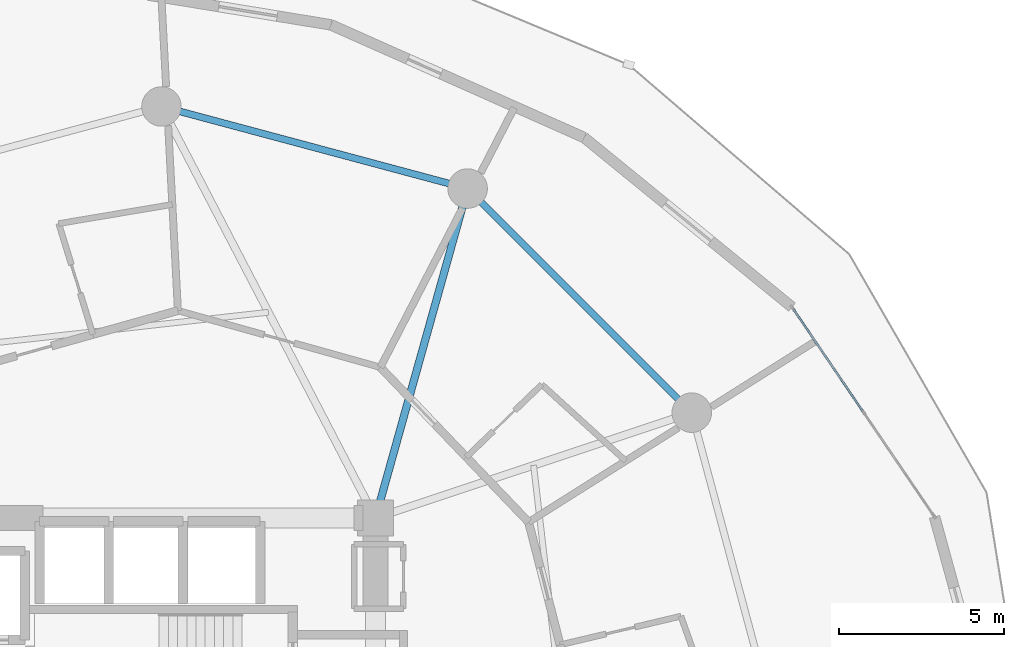
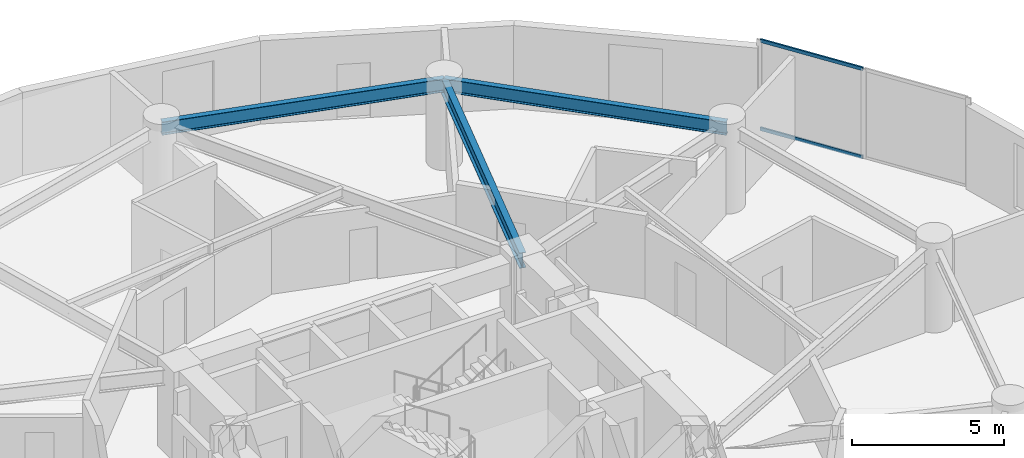
# One storey, part 17 of 26: 3 beams, 2 members, 1 element without a shape of its own.
"""IFC4 building model written with IfcOpenShell, lengths in metres."""

import ifcopenshell
import ifcopenshell.guid

model = None  # the IFC model being written
_history = None  # IfcOwnerHistory: only IFC2X3 demands one
_inside = {}  # id of a spatial element -> (the spatial element, [elements in it])
_under = {}  # id of a project, library or spatial element -> (it, [spatial elements below it])
_declared = {}  # id of a project -> (the project, [libraries it declares])
_typed = {}  # id of a type object -> (the type object, [elements of that type])
_made_of = {}  # id of a material, layer set ... -> (it, [elements and type objects made of it])


def new_model(schema):
    """Start an empty IFC model of exactly this schema.

    Asked for "IFC4X3", IfcOpenShell would pick the latest addendum, in which some entities
    have other attributes; the version numbers below select the first issue.
    IFC2X3 requires an IfcOwnerHistory on every rooted entity: one is made here for all.
    """
    global model, _history
    if schema == "IFC4X3":
        model = ifcopenshell.file(schema_version=(4, 3, 0, 0))
    else:
        model = ifcopenshell.file(schema=schema)
    _inside.clear()
    _under.clear()
    _declared.clear()
    _typed.clear()
    _made_of.clear()
    _history = None
    if model.schema == "IFC2X3":
        org = make("IfcOrganization", Name="unknown")
        user = make(
            "IfcPersonAndOrganization",
            ThePerson=make("IfcPerson", FamilyName="unknown"),
            TheOrganization=org,
        )
        app = make(
            "IfcApplication",
            ApplicationDeveloper=org,
            Version="unknown",
            ApplicationFullName="unknown",
            ApplicationIdentifier="unknown",
        )
        _history = make(
            "IfcOwnerHistory",
            OwningUser=user,
            OwningApplication=app,
            ChangeAction="ADDED",
            CreationDate=0,
        )
    return model


def make(cls, **values):
    """One entity of the class cls with the attributes given. An attribute that is None is left unset."""
    return model.create_entity(
        cls, **{name: value for name, value in values.items() if value is not None}
    )


def rooted(cls, **values):
    """An entity with a GlobalId (a new one), such as an element, a storey or a relation."""
    return make(cls, GlobalId=ifcopenshell.guid.new(), OwnerHistory=_history, **values)


def si_unit(unit_type, name, prefix=None):
    """IfcSIUnit, for example si_unit("LENGTHUNIT", "METRE", prefix="MILLI")."""
    return make("IfcSIUnit", UnitType=unit_type, Prefix=prefix, Name=name)


def assignment(units):
    """IfcUnitAssignment: the units of a project."""
    return None if units is None else make("IfcUnitAssignment", Units=units)


def point(xyz):
    """IfcCartesianPoint."""
    return None if xyz is None else make("IfcCartesianPoint", Coordinates=xyz)


def direction(xyz):
    """IfcDirection."""
    return None if xyz is None else make("IfcDirection", DirectionRatios=xyz)


def frame(location, z_axis=None, x_axis=None):
    """IfcAxis2Placement3D, a coordinate frame: its origin and axes. An axis left out is left unset."""
    return make(
        "IfcAxis2Placement3D",
        Location=point(location),
        Axis=direction(z_axis),
        RefDirection=direction(x_axis),
    )


def frame_2d(location, x_axis=None):
    """IfcAxis2Placement2D, a coordinate frame in the plane: its origin and x axis."""
    return make(
        "IfcAxis2Placement2D", Location=point(location), RefDirection=direction(x_axis)
    )


def origin():
    """The frame at (0, 0, 0) with its axes left unset."""
    return frame((0.0, 0.0, 0.0))


def origin_2d():
    """The frame at (0, 0) in the plane with its x axis left unset."""
    return frame_2d((0.0, 0.0))


def place(relative_to, where):
    """IfcLocalPlacement: puts the frame where relative to a parent placement (None: the world)."""
    return make(
        "IfcLocalPlacement", PlacementRelTo=relative_to, RelativePlacement=where
    )


def context(
    kind, dimensions, precision=None, world=None, true_north=None, identifier=None
):
    """IfcGeometricRepresentationContext, for example the 3D "Model" context."""
    return make(
        "IfcGeometricRepresentationContext",
        ContextIdentifier=identifier,
        ContextType=kind,
        CoordinateSpaceDimension=dimensions,
        Precision=precision,
        WorldCoordinateSystem=world,
        TrueNorth=true_north,
    )


def subcontext(parent, identifier, kind, view, scale=None):
    """IfcGeometricRepresentationSubContext, for example "Body" below "Model"."""
    return make(
        "IfcGeometricRepresentationSubContext",
        ContextIdentifier=identifier,
        ContextType=kind,
        ParentContext=parent,
        TargetScale=scale,
        TargetView=view,
    )


def project(units=None, contexts=None):
    """IfcProject with its units and contexts."""
    return rooted(
        "IfcProject",
        Name="project",
        RepresentationContexts=contexts,
        UnitsInContext=assignment(units),
    )


def spatial(cls, under=None, at=None, **own):
    """A site, building, storey or space (cls), placed at a placement, below another one or the project."""
    s = rooted(cls, ObjectPlacement=at, **own)
    if under is not None:
        _under.setdefault(under.id(), (under, []))[1].append(s)
    return s


def profile(cls, at=None, kind="AREA", **sizes):
    """A parametric profile (cls). Its sizes go by their IFC names, for example OverallWidth=200.0."""
    return make(cls, ProfileType=kind, Position=at, **sizes)


def hollow_rectangle(**sizes):
    """IfcRectangleHollowProfileDef."""
    return profile("IfcRectangleHollowProfileDef", **sizes)


def i_section(**sizes):
    """IfcIShapeProfileDef."""
    return profile("IfcIShapeProfileDef", **sizes)


def extrude(swept, where, along, depth):
    """IfcExtrudedAreaSolid: the profile swept, set in the frame where, extruded along a direction by depth."""
    return make(
        "IfcExtrudedAreaSolid",
        SweptArea=swept,
        Position=where,
        ExtrudedDirection=direction(along),
        Depth=depth,
    )


def shape(context_of_items, identifier, shape_type, items):
    """IfcShapeRepresentation: the items that make up one representation, for example the "Body"."""
    return make(
        "IfcShapeRepresentation",
        ContextOfItems=context_of_items,
        RepresentationIdentifier=identifier,
        RepresentationType=shape_type,
        Items=items,
    )


def source(mapping_origin, context_of_items, identifier, shape_type, items):
    """IfcRepresentationMap: a shape defined once, which mapped items show again and again."""
    return make(
        "IfcRepresentationMap",
        MappingOrigin=mapping_origin,
        MappedRepresentation=shape(context_of_items, identifier, shape_type, items),
    )


def transform(
    local_origin,
    x_axis=None,
    y_axis=None,
    z_axis=None,
    scale=None,
    scale2=None,
    scale3=None,
    uniform=True,
):
    """IfcCartesianTransformationOperator3D, or its non-uniform kind. x_axis, y_axis, z_axis: its Axis1, 2, 3."""
    if uniform:
        return make(
            "IfcCartesianTransformationOperator3D",
            Axis1=direction(x_axis),
            Axis2=direction(y_axis),
            LocalOrigin=point(local_origin),
            Scale=scale,
            Axis3=direction(z_axis),
        )
    return make(
        "IfcCartesianTransformationOperator3DnonUniform",
        Axis1=direction(x_axis),
        Axis2=direction(y_axis),
        LocalOrigin=point(local_origin),
        Scale=scale,
        Axis3=direction(z_axis),
        Scale2=scale2,
        Scale3=scale3,
    )


def mapped(mapping_source, mapping_target):
    """IfcMappedItem: shows the shape of a source again, moved by a transform."""
    return make(
        "IfcMappedItem", MappingSource=mapping_source, MappingTarget=mapping_target
    )


def material(Name=None, Category=None):
    """IfcMaterial."""
    return make("IfcMaterial", Name=Name, Category=Category)


def layer(
    of_material, thickness, ventilated=None, Name=None, Category=None, Priority=None
):
    """IfcMaterialLayer: one layer of a wall or slab, of a material (None: an air gap)."""
    return make(
        "IfcMaterialLayer",
        Material=of_material,
        LayerThickness=thickness,
        IsVentilated=ventilated,
        Name=Name,
        Category=Category,
        Priority=Priority,
    )


def layer_set(layers, Name=None):
    """IfcMaterialLayerSet."""
    return make("IfcMaterialLayerSet", MaterialLayers=layers, LayerSetName=Name)


def material_profile(
    of_material, cross_section, Name=None, Category=None, Priority=None
):
    """IfcMaterialProfile: a cross section and its material."""
    return make(
        "IfcMaterialProfile",
        Name=Name,
        Material=of_material,
        Profile=cross_section,
        Priority=Priority,
        Category=Category,
    )


def profile_set(profiles, Name=None, composite=None):
    """IfcMaterialProfileSet."""
    return make(
        "IfcMaterialProfileSet",
        Name=Name,
        MaterialProfiles=profiles,
        CompositeProfile=composite,
    )


def made_of(thing, what):
    """Note that an element or type object is made of a material, layer set ...; save() writes the relation."""
    if what is not None:
        _made_of.setdefault(what.id(), (what, []))[1].append(thing)
    return thing


def type_object(cls, material=None, **own):
    """A type object (cls), such as IfcWallType, which elements share."""
    return made_of(rooted(cls, **own), material)


def element(
    cls,
    number,
    at=None,
    inside=None,
    cuts=None,
    type_object=None,
    material=None,
    context=None,
    identifier="Body",
    shape_type=None,
    held_by="IfcProductDefinitionShape",
    body=None,
    shapes=None,
    **own,
):
    """One element of the class cls, such as IfcWall. Its Tag is "e" and its number.

    at: its placement. inside: the storey or other place that contains it. cuts: it is an
    opening in that element (IfcRelVoidsElement). A single representation is given by context,
    identifier, shape_type and body (its items); several are given by shapes. held_by: the class
    of the entity that holds the representations. save() writes the other relations.
    """
    e = rooted(cls, Tag="e%d" % number, ObjectPlacement=at, **own)
    if body is not None:
        shapes = [shape(context, identifier, shape_type, body)]
    if shapes is not None:
        e.Representation = make(held_by, Representations=shapes)
    if inside is not None:
        _inside.setdefault(inside.id(), (inside, []))[1].append(e)
    if cuts is not None:
        rooted(
            "IfcRelVoidsElement", RelatingBuildingElement=cuts, RelatedOpeningElement=e
        )
    if type_object is not None:
        _typed.setdefault(type_object.id(), (type_object, []))[1].append(e)
    return made_of(e, material)


def aggregate(whole, parts):
    """IfcRelAggregates: a whole, such as a stair, and the parts it consists of."""
    return rooted("IfcRelAggregates", RelatingObject=whole, RelatedObjects=parts)


def save(model, path):
    """Write the relations noted so far, then the file.

    IfcRelAggregates (storeys below a building ...), IfcRelContainedInSpatialStructure (elements
    in a storey), IfcRelDefinesByType, IfcRelAssociatesMaterial and IfcRelDeclares: one each for
    every whole, place, type object, material and project.
    """
    for whole, parts in _under.values():
        aggregate(whole, parts)
    for where, things in _inside.values():
        rooted(
            "IfcRelContainedInSpatialStructure",
            RelatedElements=things,
            RelatingStructure=where,
        )
    for kind, things in _typed.values():
        rooted("IfcRelDefinesByType", RelatedObjects=things, RelatingType=kind)
    for what, things in _made_of.values():
        rooted("IfcRelAssociatesMaterial", RelatedObjects=things, RelatingMaterial=what)
    for by, libraries in _declared.values():
        rooted("IfcRelDeclares", RelatingContext=by, RelatedDefinitions=libraries)
    model.write(path)


model = new_model("IFC4")

# Units and contexts
model_context = context("Model", 3, precision=1e-05, world=origin(), true_north=direction((0.0, 1.0)))
body_context = subcontext(model_context, "Body", "Model", "MODEL_VIEW")
ifc_project = project(units=[si_unit("LENGTHUNIT", "METRE"), si_unit("AREAUNIT", "SQUARE_METRE"), si_unit("VOLUMEUNIT", "CUBIC_METRE"), si_unit("PLANEANGLEUNIT", "RADIAN"), si_unit("MASSUNIT", "GRAM", prefix="KILO")], contexts=[model_context])

# Site, building, storey
site_placement = place(None, origin())
site = spatial("IfcSite", under=ifc_project, at=site_placement, CompositionType="ELEMENT")
building_placement = place(site_placement, origin())
building = spatial("IfcBuilding", under=site, at=building_placement, Name="Solvirekh Grand Hotel", CompositionType="ELEMENT")
storey_placement = place(building_placement, frame((0.0, 0.0, 64.39990234375)))
storey = spatial("IfcBuildingStorey", under=building, at=storey_placement, Name="L15", CompositionType="ELEMENT", Elevation=64.39990234375)

# Beams
ifc_material_1 = material(Name="Steel S355", Category="steel")
ifc_material_profile_1 = material_profile(ifc_material_1, i_section(OverallWidth=0.22802734375, OverallDepth=0.616943359375, WebThickness=0.012939453125, FlangeThickness=0.02001953125, FilletRadius=0.014892578125, at=origin_2d()), Name="W610X140")
ifc_profile_set_1 = profile_set([ifc_material_profile_1], Name="Steel S355")
beam_type_1 = type_object("IfcBeamType", Name="Beam_Radial_W610", PredefinedType="BEAM", material=ifc_profile_set_1)
beam_1_placement = place(storey_placement, frame((6.5, 6.10009765625, 3.031005859375), z_axis=(0.269439084681, 0.963017434757, 0.0), x_axis=(-0.963017434757, 0.269439084681, 0.0)))
element("IfcBeam", 1, at=beam_1_placement, inside=storey, type_object=beam_type_1, Name="L15 radial floor beam R03", PredefinedType="BEAM", context=body_context, shape_type="SweptSolid", body=[
    extrude(i_section(OverallWidth=0.22802734375, OverallDepth=0.616943359375, WebThickness=0.012939453125, FlangeThickness=0.02001953125, FilletRadius=0.014892578125, at=origin_2d()), origin(), (0.0, 0.0, 1.0), 10.39208984375),
])
ifc_material_profile_2 = material_profile(ifc_material_1, i_section(OverallWidth=0.208984375, OverallDepth=0.532958984375, WebThickness=0.010009765625, FlangeThickness=0.014892578125, FilletRadius=0.013916015625, at=origin_2d()), Name="W530X92")
ifc_profile_set_2 = profile_set([ifc_material_profile_2], Name="Steel S355")
beam_type_2 = type_object("IfcBeamType", Name="Spandrel_Ring_W530", PredefinedType="SPANDREL", material=ifc_profile_set_2)
beam_2_placement = place(storey_placement, frame((16.10791015625, 9.300048828125, 3.07421875), z_axis=(-0.707106781187, 0.707106781187, 0.0), x_axis=(-0.707106781187, -0.707106781187, 0.0)))
element("IfcBeam", 2, at=beam_2_placement, inside=storey, type_object=beam_type_2, Name="L15 perimeter spandrel beam 2", PredefinedType="SPANDREL", context=body_context, shape_type="SweptSolid", body=[
    extrude(i_section(OverallWidth=0.208984375, OverallDepth=0.532958984375, WebThickness=0.010009765625, FlangeThickness=0.014892578125, FilletRadius=0.013916015625, at=origin_2d()), origin(), (0.0, 0.0, 1.0), 9.627685546875),
])
beam_3_placement = place(storey_placement, frame((9.300048828125, 16.10791015625, 3.07421875), z_axis=(-0.965919414426, 0.258842973314, 0.0), x_axis=(-0.258842973314, -0.965919414426, 0.0)))
element("IfcBeam", 3, at=beam_3_placement, inside=storey, type_object=beam_type_2, Name="L15 perimeter spandrel beam 3", PredefinedType="SPANDREL", context=body_context, shape_type="SweptSolid", body=[
    extrude(i_section(OverallWidth=0.208984375, OverallDepth=0.532958984375, WebThickness=0.010009765625, FlangeThickness=0.014892578125, FilletRadius=0.013916015625, at=origin_2d()), origin(), (0.0, 0.0, 1.0), 9.628173828125),
])

# Curtain wall, members
ifc_material_2 = material(Name="Anodized Bronze Aluminium 6063-T6", Category="aluminium")
ifc_layer = layer(ifc_material_2, 0.18994140625)
ifc_layer_set = layer_set([ifc_layer], Name="Anodized Bronze Aluminium 6063-T6")
curtain_wall_type = type_object("IfcCurtainWallType", Name="CW_Sys2_LowZoneFlushBronzeCW", PredefinedType="NOTDEFINED", material=ifc_layer_set)
curtain_wall_placement = place(storey_placement, origin())
curtain_wall = element("IfcCurtainWall", 4, at=curtain_wall_placement, inside=storey, type_object=curtain_wall_type, Name="L15 unitised bronze-glass curtain wall CW-L15-C03", PredefinedType="NOTDEFINED")
ifc_material_profile_3 = material_profile(ifc_material_2, hollow_rectangle(XDim=0.06005859375, YDim=0.135009765625, WallThickness=0.00390625, at=origin_2d()), Name="ALU RHS 135X60X4")
ifc_profile_set_3 = profile_set([ifc_material_profile_3], Name="Anodized Bronze Aluminium 6063-T6")
member_type = type_object("IfcMemberType", Name="CWTransom_Sys2", PredefinedType="USERDEFINED", material=ifc_profile_set_3)
shared_shape = source(origin(), body_context, "Body", "SweptSolid", [
    extrude(hollow_rectangle(XDim=0.06005859375, YDim=0.135009765625, WallThickness=0.00390625, at=origin_2d()), origin(), (0.0, 0.0, 1.0), 3.74755859375),
])
member_1_placement = place(storey_placement, frame((21.29736328125, 9.350341796875, 0.030029296875), z_axis=(-0.561955369275, 0.827167554334, 0.0), x_axis=(-0.827167554334, -0.561955369275, 0.0)))
member_1 = element("IfcMember", 5, at=member_1_placement, type_object=member_type, Name="U02 transom 2.1", ObjectType="TRANSOM", PredefinedType="USERDEFINED", context=body_context, shape_type="MappedRepresentation", body=[
    mapped(shared_shape, transform((0.0, 0.0, 0.0), x_axis=(1.0, 0.0, 0.0), y_axis=(0.0, 1.0, 0.0), z_axis=(0.0, 0.0, 1.0), scale=1.0)),
])
member_2_placement = place(storey_placement, frame((21.29736328125, 9.350341796875, 3.570068359375), z_axis=(-0.561955369275, 0.827167554334, 0.0), x_axis=(-0.827167554334, -0.561955369275, 0.0)))
member_2 = element("IfcMember", 6, at=member_2_placement, type_object=member_type, Name="U02 transom 2.2", ObjectType="TRANSOM", PredefinedType="USERDEFINED", context=body_context, shape_type="MappedRepresentation", body=[
    mapped(shared_shape, transform((0.0, 0.0, 0.0), x_axis=(1.0, 0.0, 0.0), y_axis=(0.0, 1.0, 0.0), z_axis=(0.0, 0.0, 1.0), scale=1.0)),
])
aggregate(curtain_wall, [member_1, member_2])

save(model, "model.ifc")
